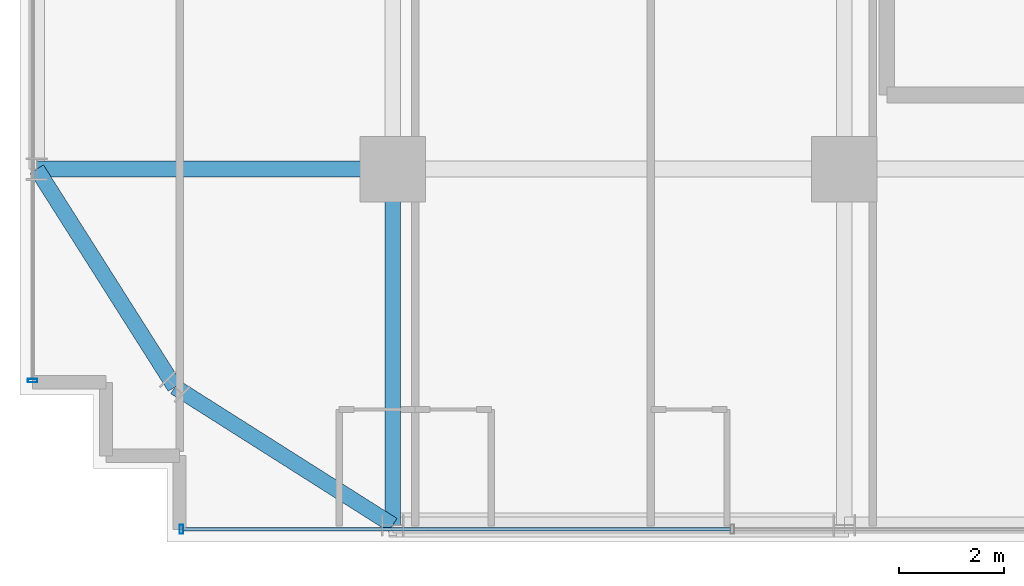
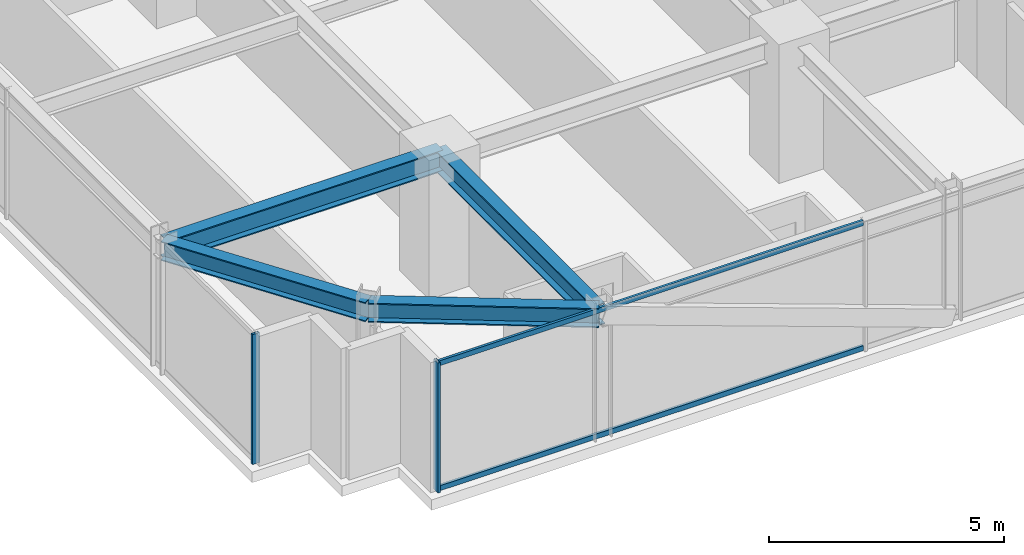
# One storey, part 2 of 34: 4 beams, 4 members, 2 elements without a shape of their own.
"""IFC4 building model written with IfcOpenShell, lengths in metres."""

from ifc_helpers import new_model, si_unit, direction, frame, origin, origin_2d, place, context, subcontext, project, spatial, hollow_rectangle, i_section, extrude, source, transform, mapped, material, material_profile, profile_set, type_object, element, aggregate, save


model = new_model("IFC4")

# Units and contexts
model_context = context("Model", 3, precision=1e-05, world=origin(), true_north=direction((0.0, 1.0)))
body_context = subcontext(model_context, "Body", "Model", "MODEL_VIEW")
ifc_project = project(units=[si_unit("LENGTHUNIT", "METRE"), si_unit("AREAUNIT", "SQUARE_METRE"), si_unit("VOLUMEUNIT", "CUBIC_METRE"), si_unit("PLANEANGLEUNIT", "RADIAN"), si_unit("MASSUNIT", "GRAM", prefix="KILO")], contexts=[model_context])

# Site, building, storey
site_placement = place(None, origin())
site = spatial("IfcSite", under=ifc_project, at=site_placement, CompositionType="ELEMENT")
building_placement = place(site_placement, origin())
building = spatial("IfcBuilding", under=site, at=building_placement, Name="Nahalor Promenade Grand Hotel", CompositionType="ELEMENT")
storey_placement = place(building_placement, frame((0.0, 0.0, 128.449951171875)))
storey = spatial("IfcBuildingStorey", under=building, at=storey_placement, Name="L32", CompositionType="ELEMENT", Elevation=128.449951171875)

# Beams
ifc_material_1 = material(Name="Steel S355JR", Category="steel")
ifc_material_profile_1 = material_profile(ifc_material_1, i_section(OverallWidth=0.3, OverallDepth=0.5, WebThickness=0.0145, FlangeThickness=0.028, at=origin_2d()), Name="HEB 500")
ifc_profile_set_1 = profile_set([ifc_material_profile_1], Name="Steel S355JR")
beam_type_1 = type_object("IfcBeamType", Name="Beam-Spandrel-HEB500", PredefinedType="SPANDREL", material=ifc_profile_set_1)
shared_shape_1 = source(origin(), body_context, "Body", "SweptSolid", [
    extrude(i_section(OverallWidth=0.3, OverallDepth=0.5, WebThickness=0.0145, FlangeThickness=0.028, at=origin_2d()), origin(), (0.0, 0.0, 1.0), 4.9130859375),
])
for number, where, z_axis, x_axis, name in (
    (1, (-17.0, -23.780029296875, 3.130126953125), (-0.844648325505, 0.535321591403, 0.0), (-0.535321591403, -0.844648325505, 0.0), "BM-L32-SPC-SW-1"),
    (2, (-21.14990234375, -21.14990234375, 3.130126953125), (-0.535321591403, 0.844648325505, 0.0), (-0.844648325505, -0.535321591403, 0.0), "BM-L32-SPC-SW-2"),
):
    element("IfcBeam", number, at=place(storey_placement, frame(where, z_axis=z_axis, x_axis=x_axis)), inside=storey, type_object=beam_type_1, Name=name, PredefinedType="SPANDREL", context=body_context, shape_type="MappedRepresentation", body=[
        mapped(shared_shape_1, transform((0.0, 0.0, 0.0), scale=1.0)),
    ])
ifc_material_profile_2 = material_profile(ifc_material_1, i_section(OverallWidth=0.3, OverallDepth=0.55, WebThickness=0.015, FlangeThickness=0.029, at=origin_2d()), Name="HEB 550")
ifc_profile_set_2 = profile_set([ifc_material_profile_2], Name="Steel S355JR")
beam_type_2 = type_object("IfcBeamType", Name="Beam-Girder-HEB550", PredefinedType="BEAM", material=ifc_profile_set_2)
shared_shape_2 = source(origin(), body_context, "Body", "SweptSolid", [
    extrude(i_section(OverallWidth=0.3, OverallDepth=0.55, WebThickness=0.015, FlangeThickness=0.029, at=origin_2d()), origin(), (0.0, 0.0, 1.0), 6.780029296875),
])
for number, where, z_axis, x_axis, name in (
    (3, (-23.780029296875, -17.0, 3.10498046875), (1.0, 0.0, 0.0), (0.0, 1.0, 0.0), "BM-L32-GX-0-0"),
    (4, (-17.0, -23.780029296875, 3.10498046875), (0.0, 1.0, 0.0), (-1.0, 0.0, 0.0), "BM-L32-GY-0-0"),
):
    element("IfcBeam", number, at=place(storey_placement, frame(where, z_axis=z_axis, x_axis=x_axis)), inside=storey, type_object=beam_type_2, Name=name, PredefinedType="BEAM", context=body_context, shape_type="MappedRepresentation", body=[
        mapped(shared_shape_2, transform((0.0, 0.0, 0.0), scale=1.0)),
    ])

# Curtain wall, members
ifc_material_2 = material(Name="Anodised Bronze Aluminium EN AW-6063 T6", Category="aluminium")
curtain_wall_type = type_object("IfcCurtainWallType", Name="CW2 Typical Hotel Flush Bronze Unitised Curtain Wall", PredefinedType="USERDEFINED", material=ifc_material_2)
curtain_wall_1_placement = place(storey_placement, origin())
curtain_wall_1 = element("IfcCurtainWall", 5, at=curtain_wall_1_placement, inside=storey, type_object=curtain_wall_type, Name="L32 Curtain Wall CW-L32-S-1", ObjectType="UNITISED_CURTAIN_WALL", PredefinedType="USERDEFINED")
ifc_material_profile_3 = material_profile(ifc_material_2, hollow_rectangle(XDim=0.065, YDim=0.13, WallThickness=0.004, at=origin_2d()), Name="CWT 65x130x4")
ifc_profile_set_3 = profile_set([ifc_material_profile_3], Name="Anodised Bronze Aluminium EN AW-6063 T6")
member_type_1 = type_object("IfcMemberType", Name="CWT2 Typical Bronze Transom 65x130", PredefinedType="USERDEFINED", material=ifc_profile_set_3)
shared_shape_3 = source(origin(), body_context, "Body", "SweptSolid", [
    extrude(hollow_rectangle(XDim=0.065, YDim=0.13, WallThickness=0.004, at=origin_2d()), origin(), (0.0, 0.0, 1.0), 10.4326171875),
])
member_1_placement = place(storey_placement, frame((-20.9951171875, -23.860107421875, 0.06494140625), z_axis=(1.0, 0.0, 0.0), x_axis=(0.0, 1.0, 0.0)))
member_1 = element("IfcMember", 6, at=member_1_placement, type_object=member_type_1, Name="CW-L32-S-1 Transom 0-0", ObjectType="TRANSOM", PredefinedType="USERDEFINED", context=body_context, shape_type="MappedRepresentation", body=[
    mapped(shared_shape_3, transform((0.0, 0.0, 0.0), scale=1.0)),
])
member_2_placement = place(storey_placement, frame((-20.9951171875, -23.860107421875, 3.31494140625), z_axis=(1.0, 0.0, 0.0), x_axis=(0.0, 1.0, 0.0)))
member_2 = element("IfcMember", 7, at=member_2_placement, type_object=member_type_1, Name="CW-L32-S-1 Transom 0-1", ObjectType="TRANSOM", PredefinedType="USERDEFINED", context=body_context, shape_type="MappedRepresentation", body=[
    mapped(shared_shape_3, transform((0.0, 0.0, 0.0), scale=1.0)),
])
ifc_material_profile_4 = material_profile(ifc_material_2, hollow_rectangle(XDim=0.065, YDim=0.18, WallThickness=0.004, at=origin_2d()), Name="CWM 65x180x4")
ifc_profile_set_4 = profile_set([ifc_material_profile_4], Name="Anodised Bronze Aluminium EN AW-6063 T6")
member_type_2 = type_object("IfcMemberType", Name="CWM2 Typical Bronze Mullion 65x180", PredefinedType="MULLION", material=ifc_profile_set_4)
shared_shape_4 = source(origin(), body_context, "Body", "SweptSolid", [
    extrude(hollow_rectangle(XDim=0.065, YDim=0.18, WallThickness=0.004, at=origin_2d()), origin(), (0.0, 0.0, 1.0), 3.380126953125),
])
member_3_placement = place(storey_placement, frame((-21.027587890625, -23.860107421875, 0.0), z_axis=(0.0, 0.0, 1.0), x_axis=(1.0, 0.0, 0.0)))
member_3 = element("IfcMember", 8, at=member_3_placement, type_object=member_type_2, Name="CW-L32-S-1 Mullion 0", PredefinedType="MULLION", context=body_context, shape_type="MappedRepresentation", body=[
    mapped(shared_shape_4, transform((0.0, 0.0, 0.0), scale=1.0)),
])
aggregate(curtain_wall_1, [member_3, member_1, member_2])

# Curtain wall, member
curtain_wall_2_placement = place(storey_placement, origin())
curtain_wall_2 = element("IfcCurtainWall", 9, at=curtain_wall_2_placement, inside=storey, type_object=curtain_wall_type, Name="L32 Curtain Wall CW-L32-W-1", ObjectType="UNITISED_CURTAIN_WALL", PredefinedType="USERDEFINED")
member_4_placement = place(storey_placement, frame((-23.860107421875, -21.027587890625, 0.0), z_axis=(0.0, 0.0, 1.0), x_axis=(0.0, 1.0, 0.0)))
member_4 = element("IfcMember", 10, at=member_4_placement, type_object=member_type_2, Name="CW-L32-W-1 Mullion 0", PredefinedType="MULLION", context=body_context, shape_type="MappedRepresentation", body=[
    mapped(shared_shape_4, transform((0.0, 0.0, 0.0), scale=1.0)),
])
aggregate(curtain_wall_2, [member_4])

save(model, "model.ifc")
